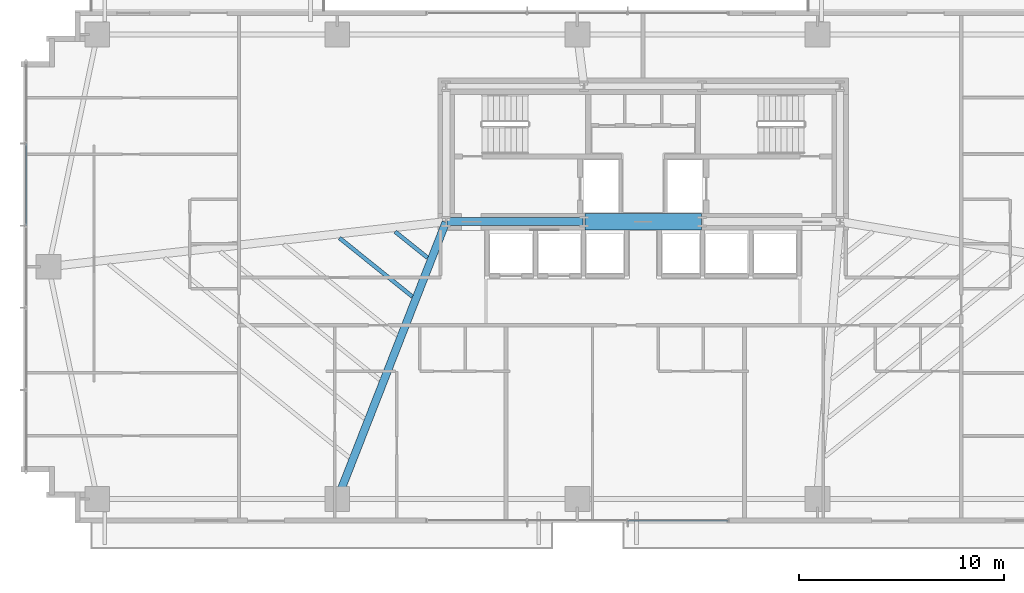
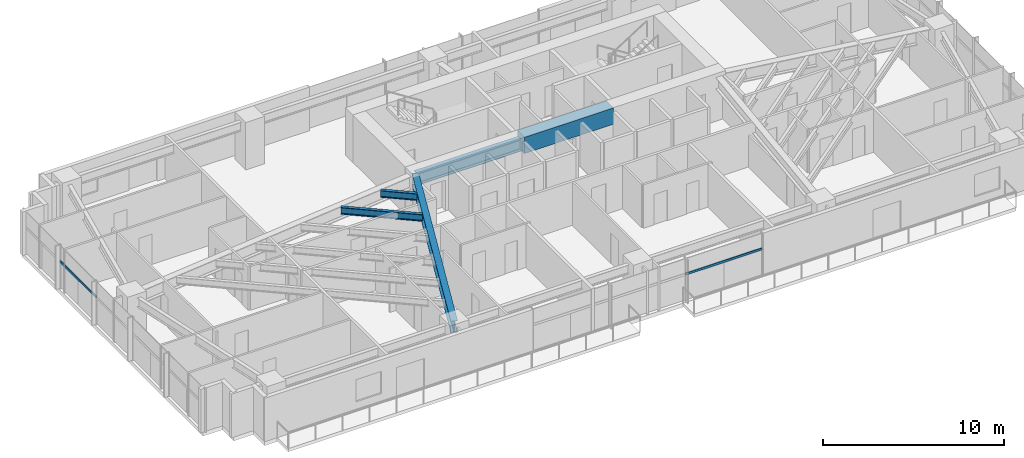
# One storey, part 7 of 25: 5 beams, 2 members, 2 elements without a shape of their own.
"""IFC4 building model written with IfcOpenShell, lengths in metres."""

from ifc_helpers import new_model, si_unit, direction, frame, origin, origin_2d, place, context, subcontext, project, spatial, rectangle, hollow_rectangle, i_section, extrude, source, transform, mapped, material, material_profile, profile_set, type_object, type_shapes, element, aggregate, save


model = new_model("IFC4")

# Units and contexts
model_context = context("Model", 3, precision=1e-05, world=origin(), true_north=direction((0.0, 1.0)))
body_context = subcontext(model_context, "Body", "Model", "MODEL_VIEW")
ifc_project = project(units=[si_unit("LENGTHUNIT", "METRE"), si_unit("AREAUNIT", "SQUARE_METRE"), si_unit("VOLUMEUNIT", "CUBIC_METRE"), si_unit("PLANEANGLEUNIT", "RADIAN"), si_unit("MASSUNIT", "GRAM", prefix="KILO")], contexts=[model_context])

# Site, building, storey
site_placement = place(None, origin())
site = spatial("IfcSite", under=ifc_project, at=site_placement, CompositionType="ELEMENT")
building_placement = place(site_placement, origin())
building = spatial("IfcBuilding", under=site, at=building_placement, Name="Astriad Promenade Condominiums", CompositionType="ELEMENT")
storey_placement = place(building_placement, frame((0.0, 0.0, 55.0)))
storey = spatial("IfcBuildingStorey", under=building, at=storey_placement, Name="L15", CompositionType="ELEMENT", Elevation=55.0)

# Beams
ifc_material_1 = material(Name="Steel ASTM A992 Grade 50", Category="steel")
ifc_material_profile_1 = material_profile(ifc_material_1, i_section(OverallWidth=0.3837890625, OverallDepth=0.785888671875, WebThickness=0.019775390625, FlangeThickness=0.033447265625, FilletRadius=0.021484375, at=origin_2d()), Name="W30X211")
ifc_profile_set_1 = profile_set([ifc_material_profile_1], Name="Steel ASTM A992 Grade 50")
beam_type_1 = type_object("IfcBeamType", Name="STEEL FLOOR GIRDER W30X211", PredefinedType="BEAM", material=ifc_profile_set_1)
shared_shape_1 = source(origin(), body_context, "Body", "SweptSolid", [
    extrude(i_section(OverallWidth=0.3837890625, OverallDepth=0.785888671875, WebThickness=0.019775390625, FlangeThickness=0.033447265625, FilletRadius=0.021484375, at=origin_2d()), origin(), (0.0, 0.0, 1.0), 6.64013671875),
])
beam_1_placement = place(storey_placement, frame((26.43994140625, 17.39990234375, 2.547119140625), z_axis=(1.0, 0.0, 0.0), x_axis=(0.0, 1.0, 0.0)))
element("IfcBeam", 1, at=beam_1_placement, inside=storey, type_object=beam_type_1, Name="Core Ring Beam CG-S1-L15", PredefinedType="BEAM", context=body_context, shape_type="MappedRepresentation", body=[
    mapped(shared_shape_1, transform((0.0, 0.0, 0.0), scale=1.0)),
])
ifc_material_2 = material(Name="Concrete C80/95", Category="concrete")
ifc_material_profile_2 = material_profile(ifc_material_2, rectangle(XDim=0.800048828125, YDim=1.10009765625, at=origin_2d()), Name="RC-BM-800X1100")
ifc_profile_set_2 = profile_set([ifc_material_profile_2], Name="Concrete C80/95")
beam_type_2 = type_object("IfcBeamType", Name="CONCRETE CORE COUPLING LINTEL 800X1100", PredefinedType="LINTEL", material=ifc_profile_set_2)
shared_shape_2 = source(origin(), body_context, "Body", "SweptSolid", [
    extrude(rectangle(XDim=0.800048828125, YDim=1.10009765625, at=origin_2d()), origin(), (0.0, 0.0, 1.0), 5.68017578125),
])
type_shapes(beam_type_2, [shared_shape_2])
beam_2_placement = place(storey_placement, frame((33.159912109375, 17.39990234375, 2.6298828125), z_axis=(1.0, 0.0, 0.0), x_axis=(0.0, 1.0, 0.0)))
element("IfcBeam", 2, at=beam_2_placement, inside=storey, type_object=beam_type_2, Name="Core Ring Beam CG-S2-L15", PredefinedType="LINTEL", context=body_context, shape_type="MappedRepresentation", body=[
    mapped(shared_shape_2, transform((0.0, 0.0, 0.0), scale=1.0)),
])
shared_shape_3 = source(origin(), body_context, "Body", "SweptSolid", [
    extrude(i_section(OverallWidth=0.3837890625, OverallDepth=0.785888671875, WebThickness=0.019775390625, FlangeThickness=0.033447265625, FilletRadius=0.021484375, at=origin_2d()), origin(), (0.0, 0.0, 1.0), 14.44189453125),
])
type_shapes(beam_type_1, [shared_shape_1, shared_shape_3])
beam_3_placement = place(storey_placement, frame((21.114501953125, 3.917236328125, 2.547119140625), z_axis=(0.364981228757, 0.931014877784, 0.0), x_axis=(-0.931014877784, 0.364981228757, 0.0)))
element("IfcBeam", 3, at=beam_3_placement, inside=storey, type_object=beam_type_1, Name="Primary Floor Girder PG-W2-L15", PredefinedType="BEAM", context=body_context, shape_type="MappedRepresentation", body=[
    mapped(shared_shape_3, transform((0.0, 0.0, 0.0), scale=1.0)),
])
ifc_material_profile_3 = material_profile(ifc_material_1, i_section(OverallWidth=0.19287109375, OverallDepth=0.466064453125, WebThickness=0.011474609375, FlangeThickness=0.01904296875, FilletRadius=0.01513671875, at=origin_2d()), Name="W18X65")
ifc_profile_set_3 = profile_set([ifc_material_profile_3], Name="Steel ASTM A992 Grade 50")
beam_type_3 = type_object("IfcBeamType", Name="STEEL FLOOR JOIST W18X65", PredefinedType="JOIST", material=ifc_profile_set_3)
shared_shape_4 = source(origin(), body_context, "Body", "SweptSolid", [
    extrude(i_section(OverallWidth=0.19287109375, OverallDepth=0.466064453125, WebThickness=0.011474609375, FlangeThickness=0.01904296875, FilletRadius=0.01513671875, at=origin_2d()), origin(), (0.0, 0.0, 1.0), 4.555419921875),
])
beam_4_placement = place(storey_placement, frame((21.201416015625, 16.600830078125, 2.706787109375), z_axis=(0.779365920634, -0.626569039894, 0.0), x_axis=(0.626569039894, 0.779365920634, 0.0)))
element("IfcBeam", 4, at=beam_4_placement, inside=storey, type_object=beam_type_3, Name="Secondary Composite Floor Joist JW1-5-L15", PredefinedType="JOIST", context=body_context, shape_type="MappedRepresentation", body=[
    mapped(shared_shape_4, transform((0.0, 0.0, 0.0), scale=1.0)),
])
shared_shape_5 = source(origin(), body_context, "Body", "SweptSolid", [
    extrude(i_section(OverallWidth=0.19287109375, OverallDepth=0.466064453125, WebThickness=0.011474609375, FlangeThickness=0.01904296875, FilletRadius=0.01513671875, at=origin_2d()), origin(), (0.0, 0.0, 1.0), 2.02587890625),
])
type_shapes(beam_type_3, [shared_shape_4, shared_shape_5])
beam_5_placement = place(storey_placement, frame((23.914794921875, 16.90869140625, 2.706787109375), z_axis=(0.779373362939, -0.626559782576, 0.0), x_axis=(0.626559782576, 0.779373362939, 0.0)))
element("IfcBeam", 5, at=beam_5_placement, inside=storey, type_object=beam_type_3, Name="Secondary Composite Floor Joist JW1-6-L15", PredefinedType="JOIST", context=body_context, shape_type="MappedRepresentation", body=[
    mapped(shared_shape_5, transform((0.0, 0.0, 0.0), scale=1.0)),
])

# Curtain wall, member
ifc_material_3 = material(Name="Anodised aluminium Black Dark Glass Unitised", Category="aluminium")
curtain_wall_type = type_object("IfcCurtainWallType", Name="CW-B1-DARK", PredefinedType="USERDEFINED", material=ifc_material_3)
curtain_wall_1_placement = place(storey_placement, origin())
curtain_wall_1 = element("IfcCurtainWall", 6, at=curtain_wall_1_placement, inside=storey, type_object=curtain_wall_type, Name="CW-L15-W", ObjectType="UNITISED_CURTAIN_WALL", PredefinedType="USERDEFINED")
ifc_material_4 = material(Name="Anodised aluminium 6063-T6 Black", Category="aluminium")
ifc_material_profile_4 = material_profile(ifc_material_4, hollow_rectangle(XDim=0.074951171875, YDim=0.14990234375, WallThickness=0.004150390625, at=origin_2d()), Name="ALU-TRN-75X150")
ifc_profile_set_4 = profile_set([ifc_material_profile_4], Name="Anodised aluminium 6063-T6 Black")
member_type = type_object("IfcMemberType", Name="TRN-ALU-TRN-75X150", PredefinedType="USERDEFINED", material=ifc_profile_set_4)
shared_shape_6 = source(origin(), body_context, "Body", "SweptSolid", [
    extrude(hollow_rectangle(XDim=0.074951171875, YDim=0.14990234375, WallThickness=0.004150390625, at=origin_2d()), origin(), (0.0, 0.0, 1.0), 4.0),
])
member_1_placement = place(storey_placement, frame((5.929931640625, 17.199951171875, 1.82275390625), z_axis=(0.0, 1.0, 0.0), x_axis=(-1.0, 0.0, 0.0)))
member_1 = element("IfcMember", 7, at=member_1_placement, type_object=member_type, Name="CW-L15-W-TRN-03-0", ObjectType="TRANSOM", PredefinedType="USERDEFINED", context=body_context, shape_type="MappedRepresentation", body=[
    mapped(shared_shape_6, transform((0.0, 0.0, 0.0), scale=1.0)),
])
aggregate(curtain_wall_1, [member_1])

curtain_wall_2_placement = place(storey_placement, origin())
curtain_wall_2 = element("IfcCurtainWall", 8, at=curtain_wall_2_placement, inside=storey, type_object=curtain_wall_type, Name="CW-L15-S", ObjectType="UNITISED_CURTAIN_WALL", PredefinedType="USERDEFINED")
shared_shape_7 = source(origin(), body_context, "Body", "SweptSolid", [
    extrude(hollow_rectangle(XDim=0.074951171875, YDim=0.14990234375, WallThickness=0.004150390625, at=origin_2d()), origin(), (0.0, 0.0, 1.0), 4.89990234375),
])
type_shapes(member_type, [shared_shape_6, shared_shape_7])
member_2_placement = place(storey_placement, frame((40.14990234375, 2.830078125, 1.82275390625), z_axis=(-1.0, 0.0, 0.0), x_axis=(0.0, -1.0, 0.0)))
member_2 = element("IfcMember", 9, at=member_2_placement, type_object=member_type, Name="CW-L15-S-TRN-00-0", ObjectType="TRANSOM", PredefinedType="USERDEFINED", context=body_context, shape_type="MappedRepresentation", body=[
    mapped(shared_shape_7, transform((0.0, 0.0, 0.0), scale=1.0)),
])
aggregate(curtain_wall_2, [member_2])

save(model, "model.ifc")
